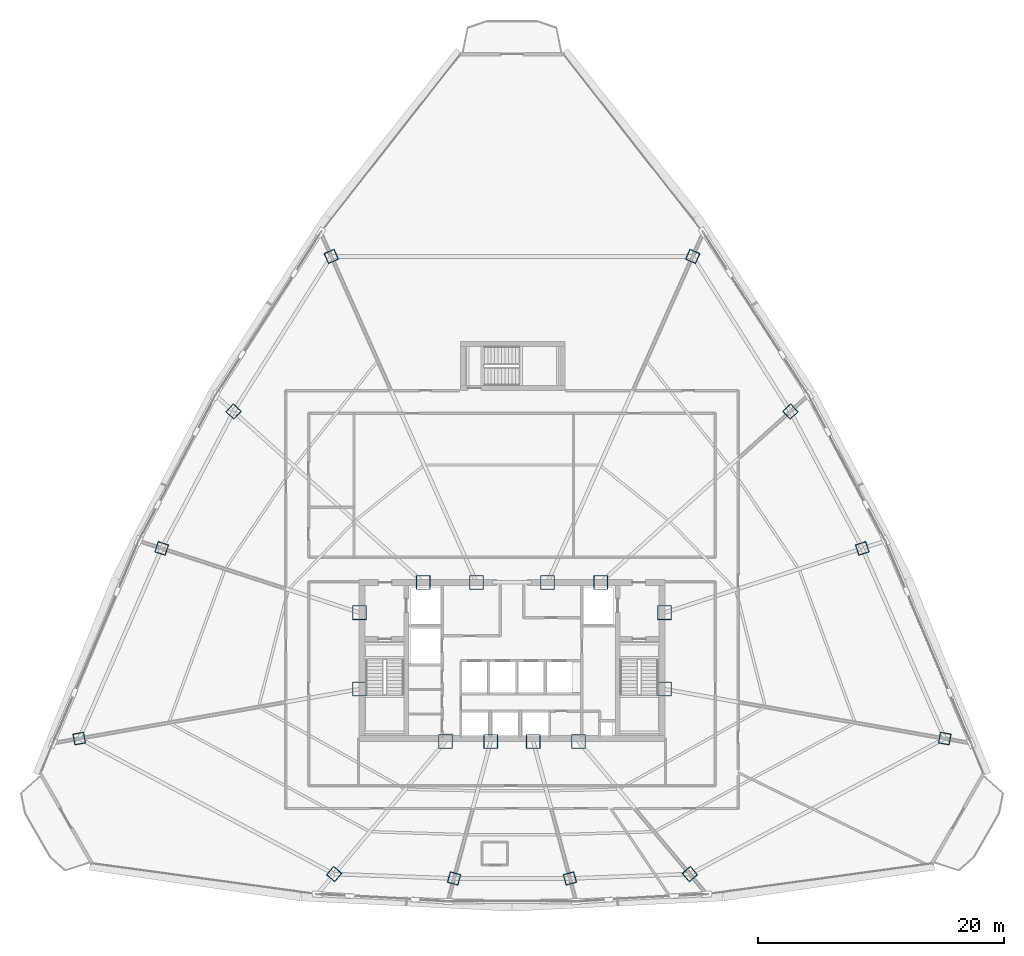
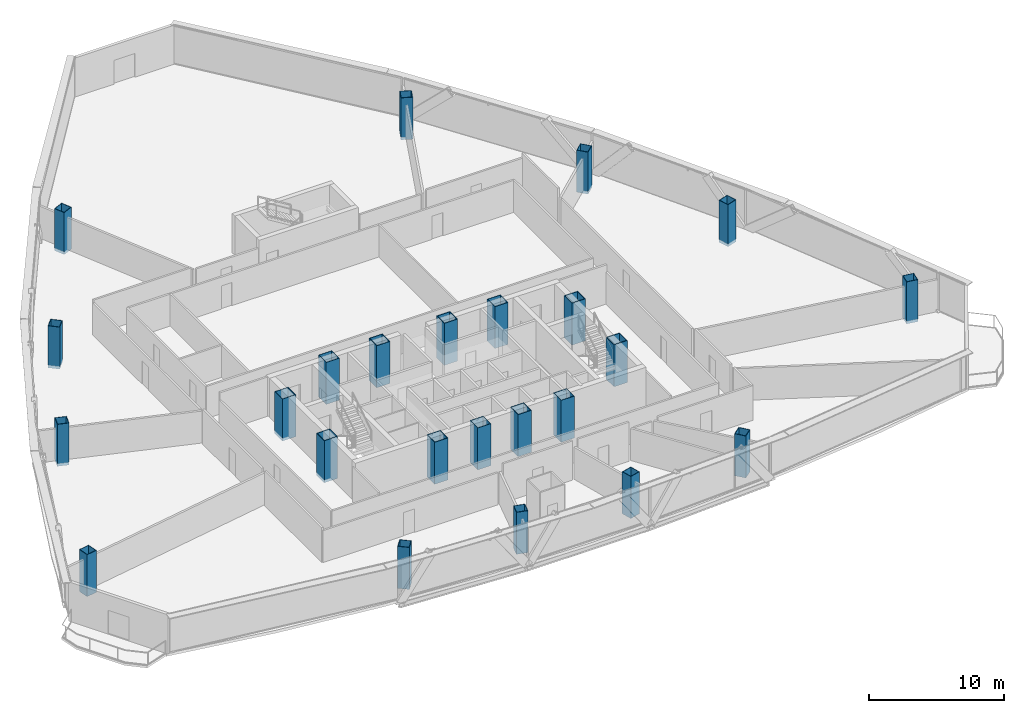
# One storey, part 1 of 37: 24 columns.
"""IFC4 building model written with IfcOpenShell, lengths in metres."""

from ifc_helpers import new_model, si_unit, direction, frame, origin, origin_2d, place, context, subcontext, project, spatial, hollow_rectangle, extrude, source, transform, mapped, material, material_profile, profile_set, type_object, element, save


model = new_model("IFC4")

# Units and contexts
model_context = context("Model", 3, precision=1e-05, world=origin(), true_north=direction((0.0, 1.0)))
body_context = subcontext(model_context, "Body", "Model", "MODEL_VIEW")
ifc_project = project(units=[si_unit("LENGTHUNIT", "METRE"), si_unit("AREAUNIT", "SQUARE_METRE"), si_unit("VOLUMEUNIT", "CUBIC_METRE"), si_unit("PLANEANGLEUNIT", "RADIAN"), si_unit("MASSUNIT", "GRAM", prefix="KILO"), si_unit("THERMODYNAMICTEMPERATUREUNIT", "KELVIN"), si_unit("POWERUNIT", "WATT")], contexts=[model_context])

# Site, building, storey
site_placement = place(None, origin())
site = spatial("IfcSite", under=ifc_project, at=site_placement, CompositionType="ELEMENT")
building_placement = place(site_placement, origin())
building = spatial("IfcBuilding", under=site, at=building_placement, Name="Yunzhuo Pagoda Commons", CompositionType="ELEMENT")
storey_placement = place(building_placement, frame((0.0, 0.0, 192.360107421875)))
storey = spatial("IfcBuildingStorey", under=building, at=storey_placement, Name="L48", CompositionType="ELEMENT", Elevation=192.360107421875)

# Columns
ifc_material = material(Name="Structural steel Q420B", Category="steel")
ifc_material_profile_1 = material_profile(ifc_material, hollow_rectangle(XDim=1.14990234375, YDim=1.14990234375, WallThickness=0.048095703125, at=origin_2d()), Name="Structural steel Q420B")
ifc_profile_set_1 = profile_set([ifc_material_profile_1], Name="Structural steel Q420B")
column_type_1 = type_object("IfcColumnType", Name="C-COR Column BOX 1150x1150x48", PredefinedType="COLUMN", material=ifc_profile_set_1)
shared_shape_1 = source(origin(), body_context, "Body", "SweptSolid", [
    extrude(hollow_rectangle(XDim=1.14990234375, YDim=1.14990234375, WallThickness=0.048095703125, at=origin_2d()), origin(), (0.0, 0.0, 1.0), 3.7998046875),
])
for number, where, z_axis, x_axis, name in (
    (1, (42.587890625, 27.25, -0.260009765625), (0.0, 0.0, 1.0), (1.0, 0.0, 0.0), "L48 core composite column F1C1"),
    (2, (46.27197265625, 27.25, -0.260009765625), (0.0, 0.0, 1.0), (1.0, 0.0, 0.0), "L48 core composite column F1C2"),
    (3, (49.728515625, 27.25, -0.260009765625), (0.0, 0.0, 1.0), (1.0, 0.0, 0.0), "L48 core composite column F1C3"),
    (4, (53.412109375, 27.25, -0.260009765625), (0.0, 0.0, 1.0), (1.0, 0.0, 0.0), "L48 core composite column F1C4"),
    (5, (60.39990234375, 31.513427734375, -0.260009765625), (0.0, 0.0, 1.0), (1.0, 0.0, 0.0), "L48 core composite column F2C1"),
    (6, (60.39990234375, 37.72900390625, -0.260009765625), (0.0, 0.0, 1.0), (1.0, 0.0, 0.0), "L48 core composite column F2C2"),
    (7, (55.218994140625, 40.199951171875, -0.260009765625), (0.0, 0.0, 1.0), (1.0, 0.0, 0.0), "L48 core composite column F2C3"),
    (8, (50.89404296875, 40.199951171875, -0.260009765625), (0.0, 0.0, 1.0), (1.0, 0.0, 0.0), "L48 core composite column F2C4"),
    (9, (45.10595703125, 40.199951171875, -0.260009765625), (0.0, 0.0, 1.0), (1.0, 0.0, 0.0), "L48 core composite column F3C1"),
    (10, (40.781005859375, 40.199951171875, -0.260009765625), (0.0, 0.0, 1.0), (1.0, 0.0, 0.0), "L48 core composite column F3C2"),
    (11, (35.60009765625, 37.72900390625, -0.260009765625), (0.0, 0.0, 1.0), (1.0, 0.0, 0.0), "L48 core composite column F3C3"),
    (12, (35.60009765625, 31.513427734375, -0.260009765625), (0.0, 0.0, 1.0), (1.0, 0.0, 0.0), "L48 core composite column F3C4"),
):
    element("IfcColumn", number, at=place(storey_placement, frame(where, z_axis=z_axis, x_axis=x_axis)), inside=storey, type_object=column_type_1, Name=name, PredefinedType="COLUMN", context=body_context, shape_type="MappedRepresentation", body=[
        mapped(shared_shape_1, transform((0.0, 0.0, 0.0), scale=1.0)),
    ])
ifc_material_profile_2 = material_profile(ifc_material, hollow_rectangle(XDim=0.89990234375, YDim=0.89990234375, WallThickness=0.035888671875, at=origin_2d()), Name="Structural steel Q420B")
ifc_profile_set_2 = profile_set([ifc_material_profile_2], Name="Structural steel Q420B")
column_type_2 = type_object("IfcColumnType", Name="C-Z4 Column BOX 900x900x36", PredefinedType="COLUMN", material=ifc_profile_set_2)
shared_shape_2 = source(origin(), body_context, "Body", "SweptSolid", [
    extrude(hollow_rectangle(XDim=0.89990234375, YDim=0.89990234375, WallThickness=0.035888671875, at=origin_2d()), origin(), (0.0, 0.0, 1.0), 3.7998046875),
])
for number, where, z_axis, x_axis, name in (
    (13, (33.538818359375, 16.4658203125, -0.260009765625), (0.0, 0.0, 1.0), (0.766044443119, -0.642787609687, 0.0), "L48 tower column F1C1"),
    (14, (43.28759765625, 16.1123046875, -0.260009765625), (0.0, 0.0, 1.0), (0.965925826289, -0.258819045103, 0.0), "L48 tower column F1C2"),
    (15, (52.712890625, 16.1123046875, -0.260009765625), (0.0, 0.0, 1.0), (0.965925826289, 0.258819045103, 0.0), "L48 tower column F1C3"),
    (16, (62.461181640625, 16.4658203125, -0.260009765625), (0.0, 0.0, 1.0), (0.766044443119, 0.642787609687, 0.0), "L48 tower column F1C4"),
    (17, (83.20654296875, 27.492431640625, -0.260009765625), (0.0, 0.0, 1.0), (0.173648177667, 0.984807753012, 0.0), "L48 tower column F2C1"),
    (18, (76.49462890625, 42.95849609375, -0.260009765625), (0.0, 0.0, 1.0), (-0.309016994375, 0.951056516295, 0.0), "L48 tower column F2C2"),
    (19, (70.650634765625, 54.0947265625, -0.260009765625), (0.0, 0.0, 1.0), (-0.669130606359, 0.743144825477, 0.0), "L48 tower column F2C3"),
    (20, (62.698974609375, 66.714599609375, -0.260009765625), (0.0, 0.0, 1.0), (-0.913545457643, 0.406736643076, 0.0), "L48 tower column F2C4"),
    (21, (33.301025390625, 66.714599609375, -0.260009765625), (0.0, 0.0, 1.0), (-0.913545457643, -0.406736643076, 0.0), "L48 tower column F3C1"),
    (22, (25.349365234375, 54.0947265625, -0.260009765625), (0.0, 0.0, 1.0), (-0.669130606359, -0.743144825477, 0.0), "L48 tower column F3C2"),
    (23, (19.50537109375, 42.95849609375, -0.260009765625), (0.0, 0.0, 1.0), (-0.309016994375, -0.951056516295, 0.0), "L48 tower column F3C3"),
    (24, (12.79345703125, 27.492431640625, -0.260009765625), (0.0, 0.0, 1.0), (0.173648177667, -0.984807753012, 0.0), "L48 tower column F3C4"),
):
    element("IfcColumn", number, at=place(storey_placement, frame(where, z_axis=z_axis, x_axis=x_axis)), inside=storey, type_object=column_type_2, Name=name, PredefinedType="COLUMN", context=body_context, shape_type="MappedRepresentation", body=[
        mapped(shared_shape_2, transform((0.0, 0.0, 0.0), scale=1.0)),
    ])

save(model, "model.ifc")
